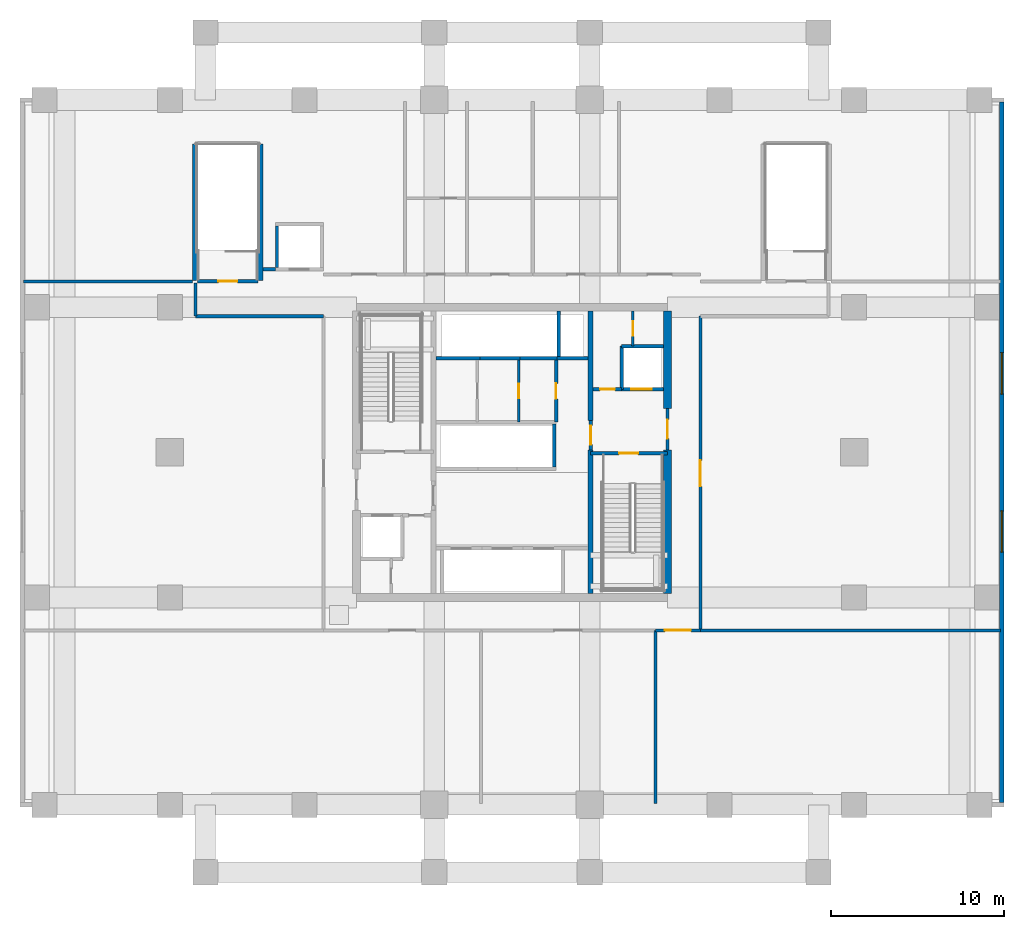
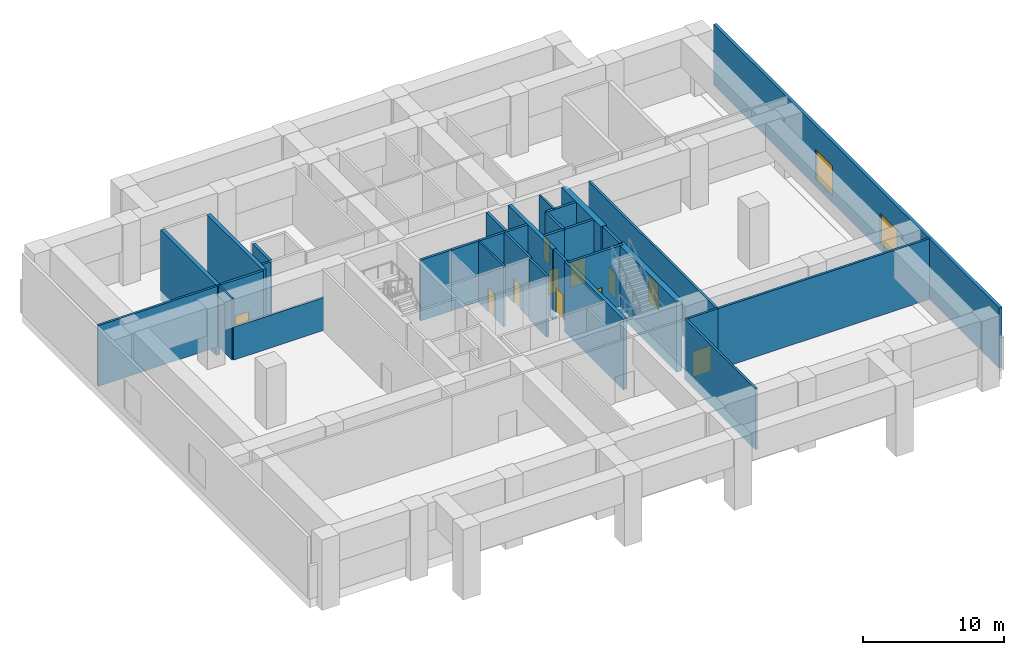
# One storey, part 3 of 9: 33 walls, 11 doors, 2 windows, 13 openings.
"""IFC4 building model written with IfcOpenShell, lengths in metres."""

from ifc_helpers import new_model, si_unit, direction, frame, frame_2d, origin, place, context, subcontext, project, spatial, rectangle, extrude, source, transform, mapped, material, layer, layer_set, type_object, element, fill, save


model = new_model("IFC4")

# Units and contexts
model_context = context("Model", 3, precision=1e-05, world=origin(), true_north=direction((0.0, 1.0)))
body_context = subcontext(model_context, "Body", "Model", "MODEL_VIEW")
ifc_project = project(units=[si_unit("LENGTHUNIT", "METRE"), si_unit("AREAUNIT", "SQUARE_METRE"), si_unit("VOLUMEUNIT", "CUBIC_METRE"), si_unit("PLANEANGLEUNIT", "RADIAN"), si_unit("MASSUNIT", "GRAM", prefix="KILO")], contexts=[model_context])

# Site, building, storey
site_placement = place(None, origin())
site = spatial("IfcSite", under=ifc_project, at=site_placement, CompositionType="ELEMENT")
building_placement = place(site_placement, origin())
building = spatial("IfcBuilding", under=site, at=building_placement, Name="Serunith Strait Residences", CompositionType="ELEMENT")
storey_placement = place(building_placement, frame((0.0, 0.0, 21.0)))
storey = spatial("IfcBuildingStorey", under=building, at=storey_placement, Name="L04", CompositionType="ELEMENT", Elevation=21.0)

# Wall, openings, windows
ifc_material_1 = material(Name="Pale-Silver Aluminium Terracotta-Backed Wall", Category="masonry")
ifc_layer_1 = layer(ifc_material_1, 0.25, Name="Pale-Silver Aluminium Terracotta-Backed Wall")
ifc_layer_set_1 = layer_set([ifc_layer_1], Name="Pale-Silver Aluminium Terracotta-Backed Wall")
wall_type_1 = type_object("IfcWallType", Name="EW-POD-250", PredefinedType="ELEMENTEDWALL", material=ifc_layer_set_1)
wall_1_placement = place(storey_placement, frame((60.75, 4.925048828125, 0.0), z_axis=(0.0, 0.0, 1.0), x_axis=(0.0, 1.0, 0.0)))
wall_1 = element("IfcWall", 1, at=wall_1_placement, inside=storey, type_object=wall_type_1, Name="L04 Podium Envelope Wall 2", PredefinedType="ELEMENTEDWALL", context=body_context, shape_type="SweptSolid", body=[
    extrude(rectangle(XDim=40.550048828125, YDim=0.25, at=frame_2d((20.27490234375, 0.0))), origin(), (0.0, 0.0, 1.0), 5.2451171875),
])
opening_1_placement = place(wall_1_placement, frame((14.4970703125, 0.0, 0.60009765625)))
opening_1 = element("IfcOpeningElement", 2, at=opening_1_placement, cuts=wall_1, Name="Opening W-08", PredefinedType="OPENING", context=body_context, shape_type="SweptSolid", body=[
    extrude(rectangle(XDim=2.39990234375, YDim=2.60009765625, at=frame_2d((1.199951171875, 1.300048828125))), frame((0.0, 0.135009765625, 0.0), z_axis=(0.0, -1.0, 0.0), x_axis=(1.0, 0.0, 0.0)), (0.0, 0.0, 1.0), 0.27001953125),
])
opening_2_placement = place(wall_1_placement, frame((23.653076171875, 0.0, 0.60009765625)))
opening_2 = element("IfcOpeningElement", 3, at=opening_2_placement, cuts=wall_1, Name="Opening W-08", PredefinedType="OPENING", context=body_context, shape_type="SweptSolid", body=[
    extrude(rectangle(XDim=2.39990234375, YDim=2.60009765625, at=frame_2d((1.199951171875, 1.300048828125))), frame((0.0, 0.135009765625, 0.0), z_axis=(0.0, -1.0, 0.0), x_axis=(1.0, 0.0, 0.0)), (0.0, 0.0, 1.0), 0.27001953125),
])
ifc_material_2 = material(Name="Podium Club Operable Window Glass", Category="glass")
window_type = type_object("IfcWindowType", Name="WIN-POD2", PartitioningType="DOUBLE_PANEL_VERTICAL", PredefinedType="WINDOW", material=ifc_material_2)
shared_shape_1 = source(origin(), body_context, "Body", "SweptSolid", [
    extrude(rectangle(XDim=2.39990234375, YDim=2.60009765625, at=frame_2d((1.199951171875, 1.300048828125))), frame((0.0, 0.030029296875, 0.0), z_axis=(0.0, -1.0, 0.0), x_axis=(1.0, 0.0, 0.0)), (0.0, 0.0, 1.0), 0.06005859375),
])
window_1_placement = place(opening_1_placement, origin())
window_1 = element("IfcWindow", 4, at=window_1_placement, inside=storey, type_object=window_type, Name="L04 Podium Window 2A", OverallHeight=2.60009765625, OverallWidth=2.39990234375, PartitioningType="SINGLE_PANEL", PredefinedType="WINDOW", context=body_context, shape_type="MappedRepresentation", body=[
    mapped(shared_shape_1, transform((0.0, 0.0, 0.0), scale=1.0)),
])
fill(opening_1, window_1)
window_2_placement = place(opening_2_placement, origin())
window_2 = element("IfcWindow", 5, at=window_2_placement, inside=storey, type_object=window_type, Name="L04 Podium Window 2B", OverallHeight=2.60009765625, OverallWidth=2.39990234375, PartitioningType="SINGLE_PANEL", PredefinedType="WINDOW", context=body_context, shape_type="MappedRepresentation", body=[
    mapped(shared_shape_1, transform((0.0, 0.0, 0.0), scale=1.0)),
])
fill(opening_2, window_2)

# Wall, opening, door
ifc_material_3 = material(Name="Fire-rated masonry service closet wall", Category="masonry")
ifc_layer_2 = layer(ifc_material_3, 0.14990234375, Name="Fire-rated masonry service closet wall")
ifc_layer_set_2 = layer_set([ifc_layer_2], Name="Fire-rated masonry service closet wall")
wall_type_2 = type_object("IfcWallType", Name="IW-BOH-150", PredefinedType="PARTITIONING", material=ifc_layer_set_2)
wall_2_placement = place(storey_placement, frame((39.39990234375, 31.35009765625, 0.0), z_axis=(0.0, 0.0, 1.0), x_axis=(0.0, 1.0, 0.0)))
wall_2 = element("IfcWall", 6, at=wall_2_placement, inside=storey, type_object=wall_type_2, Name="L04 Partition Wall 013", PredefinedType="PARTITIONING", context=body_context, shape_type="SweptSolid", body=[
    extrude(rectangle(XDim=2.02490234375, YDim=0.14990234375, at=frame_2d((1.012451171875, 0.0))), origin(), (0.0, 0.0, 1.0), 5.260009765625),
])
opening_3_placement = place(wall_2_placement, frame((0.5869140625, 0.0, 0.0)))
opening_3 = element("IfcOpeningElement", 7, at=opening_3_placement, cuts=wall_2, Name="Opening FD-850", PredefinedType="OPENING", context=body_context, shape_type="SweptSolid", body=[
    extrude(rectangle(XDim=0.85009765625, YDim=2.10009765625, at=frame_2d((0.425048828125, 1.050048828125))), frame((0.0, 0.0849609375, 0.0), z_axis=(0.0, -1.0, 0.0), x_axis=(1.0, 0.0, 0.0)), (0.0, 0.0, 1.0), 0.169921875),
])
ifc_material_4 = material(Name="Powder-coated steel service closet door", Category="steel")
door_type_1 = type_object("IfcDoorType", Name="FD-BOH-850", OperationType="NOTDEFINED", PredefinedType="DOOR", material=ifc_material_4)
shared_shape_2 = source(origin(), body_context, "Body", "SweptSolid", [
    extrude(rectangle(XDim=0.85009765625, YDim=2.10009765625, at=frame_2d((0.425048828125, 1.050048828125))), frame((0.0, 0.02490234375, 0.0), z_axis=(0.0, -1.0, 0.0), x_axis=(1.0, 0.0, 0.0)), (0.0, 0.0, 1.0), 0.050048828125),
])
door_1_placement = place(opening_3_placement, origin())
door_1 = element("IfcDoor", 8, at=door_1_placement, inside=storey, type_object=door_type_1, Name="L04 Janitor Store Door", OperationType="SINGLE_SWING_LEFT", OverallHeight=2.10009765625, OverallWidth=0.85009765625, PredefinedType="DOOR", context=body_context, shape_type="MappedRepresentation", body=[
    mapped(shared_shape_2, transform((0.0, 0.0, 0.0), scale=1.0)),
])
fill(opening_3, door_1)

wall_3_placement = place(storey_placement, frame((32.800048828125, 26.949951171875, 0.0), z_axis=(0.0, 0.0, 1.0), x_axis=(0.0, 1.0, 0.0)))
wall_3 = element("IfcWall", 9, at=wall_3_placement, inside=storey, type_object=wall_type_2, Name="L04 Partition Wall 015", PredefinedType="PARTITIONING", context=body_context, shape_type="SweptSolid", body=[
    extrude(rectangle(XDim=3.60009765625, YDim=0.14990234375, at=frame_2d((1.800048828125, 0.0))), origin(), (0.0, 0.0, 1.0), 5.260009765625),
])
opening_4_placement = place(wall_3_placement, frame((1.375, 0.0, 0.0)))
opening_4 = element("IfcOpeningElement", 10, at=opening_4_placement, cuts=wall_3, Name="Opening FD-850", PredefinedType="OPENING", context=body_context, shape_type="SweptSolid", body=[
    extrude(rectangle(XDim=0.85009765625, YDim=2.10009765625, at=frame_2d((0.425048828125, 1.050048828125))), frame((0.0, 0.0849609375, 0.0), z_axis=(0.0, -1.0, 0.0), x_axis=(1.0, 0.0, 0.0)), (0.0, 0.0, 1.0), 0.169921875),
])
door_2_placement = place(opening_4_placement, origin())
door_2 = element("IfcDoor", 11, at=door_2_placement, inside=storey, type_object=door_type_1, Name="L04 Linen Store Door", OperationType="SINGLE_SWING_LEFT", OverallHeight=2.10009765625, OverallWidth=0.85009765625, PredefinedType="DOOR", context=body_context, shape_type="MappedRepresentation", body=[
    mapped(shared_shape_2, transform((0.0, 0.0, 0.0), scale=1.0)),
])
fill(opening_4, door_2)

# Walls
ifc_material_5 = material(Name="Fire-rated acoustic gypsum partition")
ifc_layer_3 = layer(ifc_material_5, 0.179931640625, Name="Fire-rated acoustic gypsum partition")
ifc_layer_set_3 = layer_set([ifc_layer_3], Name="Fire-rated acoustic gypsum partition")
wall_type_3 = type_object("IfcWallType", Name="IW-CORR-180", PredefinedType="PARTITIONING", material=ifc_layer_set_3)
wall_4_placement = place(storey_placement, frame((43.300048828125, 14.89990234375, 0.0), z_axis=(0.0, 0.0, 1.0), x_axis=(1.0, 0.0, 0.0)))
element("IfcWall", 12, at=wall_4_placement, inside=storey, type_object=wall_type_3, Name="L04 Partition Wall 018", PredefinedType="PARTITIONING", context=body_context, shape_type="SweptSolid", body=[
    extrude(rectangle(XDim=17.367919921875, YDim=0.179931640625, at=frame_2d((8.68408203125, 0.0))), origin(), (0.0, 0.0, 1.0), 5.260009765625),
])
wall_5_placement = place(storey_placement, frame((4.132080078125, 35.080078125, 0.0), z_axis=(0.0, 0.0, 1.0), x_axis=(1.0, 0.0, 0.0)))
element("IfcWall", 13, at=wall_5_placement, inside=storey, type_object=wall_type_3, Name="L04 Partition Wall 019", PredefinedType="PARTITIONING", context=body_context, shape_type="SweptSolid", body=[
    extrude(rectangle(XDim=9.767822265625, YDim=0.179931640625, at=frame_2d((4.8837890625, 0.0))), origin(), (0.0, 0.0, 1.0), 5.260009765625),
])
wall_6_placement = place(storey_placement, frame((14.080078125, 33.080078125, 0.0), z_axis=(0.0, 0.0, 1.0), x_axis=(1.0, 0.0, 0.0)))
element("IfcWall", 14, at=wall_6_placement, inside=storey, type_object=wall_type_3, Name="L04 Partition Wall 020", PredefinedType="PARTITIONING", context=body_context, shape_type="SweptSolid", body=[
    extrude(rectangle(XDim=7.419921875, YDim=0.179931640625, at=frame_2d((3.7099609375, 0.0))), origin(), (0.0, 0.0, 1.0), 2.844970703125),
])
wall_7_placement = place(storey_placement, frame((18.0, 35.800048828125, 0.0), z_axis=(0.0, 0.0, 1.0), x_axis=(1.0, 0.0, 0.0)))
element("IfcWall", 15, at=wall_7_placement, inside=storey, type_object=wall_type_3, Name="L04 Partition Wall 021", PredefinedType="PARTITIONING", context=body_context, shape_type="SweptSolid", body=[
    extrude(rectangle(XDim=0.697998046875, YDim=0.179931640625, at=frame_2d((0.34912109375, 0.0))), origin(), (0.0, 0.0, 1.0), 5.260009765625),
])
wall_8_placement = place(storey_placement, frame((14.080078125, 33.080078125, 0.0), z_axis=(0.0, 0.0, 1.0), x_axis=(0.0, 1.0, 0.0)))
element("IfcWall", 16, at=wall_8_placement, inside=storey, type_object=wall_type_3, Name="L04 Partition Wall 025", PredefinedType="PARTITIONING", context=body_context, shape_type="SweptSolid", body=[
    extrude(rectangle(XDim=1.919921875, YDim=0.179931640625, at=frame_2d((0.9599609375, 0.0))), origin(), (0.0, 0.0, 1.0), 5.260009765625),
])

# Wall, opening, door
wall_9_placement = place(storey_placement, frame((43.300048828125, 14.89990234375, 0.0), z_axis=(0.0, 0.0, 1.0), x_axis=(0.0, 1.0, 0.0)))
wall_9 = element("IfcWall", 17, at=wall_9_placement, inside=storey, type_object=wall_type_3, Name="L04 Partition Wall 028", PredefinedType="PARTITIONING", context=body_context, shape_type="SweptSolid", body=[
    extrude(rectangle(XDim=18.18017578125, YDim=0.179931640625, at=frame_2d((9.090087890625, 0.0))), origin(), (0.0, 0.0, 1.0), 5.260009765625),
])
opening_5_placement = place(wall_9_placement, frame((8.340087890625, 0.0, 0.0)))
opening_5 = element("IfcOpeningElement", 18, at=opening_5_placement, cuts=wall_9, Name="Opening D-POD1500", PredefinedType="OPENING", context=body_context, shape_type="SweptSolid", body=[
    extrude(rectangle(XDim=1.5, YDim=2.25, at=frame_2d((0.75, 1.125))), frame((0.0, 0.10009765625, 0.0), z_axis=(0.0, -1.0, 0.0), x_axis=(1.0, 0.0, 0.0)), (0.0, 0.0, 1.0), 0.199951171875),
])
ifc_material_6 = material(Name="Pale-champagne aluminium glazed double door", Category="aluminium")
door_type_2 = type_object("IfcDoorType", Name="ID-POD-1500", OperationType="DOUBLE_DOOR_SINGLE_SWING", PredefinedType="DOOR", material=ifc_material_6)
shared_shape_3 = source(origin(), body_context, "Body", "SweptSolid", [
    extrude(rectangle(XDim=1.5, YDim=2.25, at=frame_2d((0.75, 1.125))), frame((0.0, 0.02490234375, 0.0), z_axis=(0.0, -1.0, 0.0), x_axis=(1.0, 0.0, 0.0)), (0.0, 0.0, 1.0), 0.050048828125),
])
door_3_placement = place(opening_5_placement, origin())
door_3 = element("IfcDoor", 19, at=door_3_placement, inside=storey, type_object=door_type_2, Name="L04 East Wing Suite Door", OperationType="DOUBLE_DOOR_SINGLE_SWING", OverallHeight=2.25, OverallWidth=1.5, PredefinedType="DOOR", context=body_context, shape_type="MappedRepresentation", body=[
    mapped(shared_shape_3, transform((0.0, 0.0, 0.0), scale=1.0)),
])
fill(opening_5, door_3)

wall_10_placement = place(storey_placement, frame((40.701904296875, 14.89990234375, 0.0), z_axis=(0.0, 0.0, 1.0), x_axis=(1.0, 0.0, 0.0)))
wall_10 = element("IfcWall", 20, at=wall_10_placement, inside=storey, type_object=wall_type_3, Name="L04 Partition Wall 035", PredefinedType="PARTITIONING", context=body_context, shape_type="SweptSolid", body=[
    extrude(rectangle(XDim=2.59619140625, YDim=0.179931640625, at=frame_2d((1.298095703125, 0.0))), origin(), (0.0, 0.0, 1.0), 5.260009765625),
])
opening_6_placement = place(wall_10_placement, frame((0.548095703125, 0.0, 0.0)))
opening_6 = element("IfcOpeningElement", 21, at=opening_6_placement, cuts=wall_10, Name="Opening D-POD1500", PredefinedType="OPENING", context=body_context, shape_type="SweptSolid", body=[
    extrude(rectangle(XDim=1.5, YDim=2.25, at=frame_2d((0.75, 1.125))), frame((0.0, 0.10009765625, 0.0), z_axis=(0.0, -1.0, 0.0), x_axis=(1.0, 0.0, 0.0)), (0.0, 0.0, 1.0), 0.199951171875),
])
door_4_placement = place(opening_6_placement, origin())
door_4 = element("IfcDoor", 22, at=door_4_placement, inside=storey, type_object=door_type_2, Name="L04 South-East Suite Door", OperationType="DOUBLE_DOOR_SINGLE_SWING", OverallHeight=2.25, OverallWidth=1.5, PredefinedType="DOOR", context=body_context, shape_type="MappedRepresentation", body=[
    mapped(shared_shape_3, transform((0.0, 0.0, 0.0), scale=1.0)),
])
fill(opening_6, door_4)

# Wall
wall_11_placement = place(storey_placement, frame((40.699951171875, 4.882080078125, 0.0), z_axis=(0.0, 0.0, 1.0), x_axis=(0.0, 1.0, 0.0)))
element("IfcWall", 23, at=wall_11_placement, inside=storey, type_object=wall_type_3, Name="L04 Partition Wall 042", PredefinedType="PARTITIONING", context=body_context, shape_type="SweptSolid", body=[
    extrude(rectangle(XDim=10.017822265625, YDim=0.179931640625, at=frame_2d((5.0087890625, 0.0))), origin(), (0.0, 0.0, 1.0), 5.260009765625),
])

# Wall, opening, door
ifc_material_7 = material(Name="Autoclaved aerated concrete blockwork", Category="masonry")
ifc_layer_4 = layer(ifc_material_7, 0.199951171875, Name="Autoclaved aerated concrete blockwork")
ifc_layer_set_4 = layer_set([ifc_layer_4], Name="Autoclaved aerated concrete blockwork")
wall_type_4 = type_object("IfcWallType", Name="IW-SHAFT-200", PredefinedType="STANDARD", material=ifc_layer_set_4)
wall_12_placement = place(storey_placement, frame((36.949951171875, 25.14990234375, 0.0), z_axis=(0.0, 0.0, 1.0), x_axis=(1.0, 0.0, 0.0)))
wall_12 = element("IfcWall", 24, at=wall_12_placement, inside=storey, type_object=wall_type_4, Name="L04 ST-2 North Shaft Wall", PredefinedType="STANDARD", context=body_context, shape_type="SweptSolid", body=[
    extrude(rectangle(XDim=4.449951171875, YDim=0.199951171875, at=frame_2d((2.22509765625, 0.0))), origin(), (0.0, 0.0, 1.0), 5.260009765625),
])
opening_7_placement = place(wall_12_placement, frame((1.64990234375, 0.0, 0.0)))
opening_7 = element("IfcOpeningElement", 25, at=opening_7_placement, cuts=wall_12, Name="Opening FD-1100", PredefinedType="OPENING", context=body_context, shape_type="SweptSolid", body=[
    extrude(rectangle(XDim=1.10009765625, YDim=2.14990234375, at=frame_2d((0.550048828125, 1.074951171875))), frame((0.0, 0.10986328125, 0.0), z_axis=(0.0, -1.0, 0.0), x_axis=(1.0, 0.0, 0.0)), (0.0, 0.0, 1.0), 0.219970703125),
])
ifc_material_8 = material(Name="Galvanised steel fire door leaf", Category="steel")
door_type_3 = type_object("IfcDoorType", Name="FD-STAIR-1100", OperationType="NOTDEFINED", PredefinedType="DOOR", material=ifc_material_8)
shared_shape_4 = source(origin(), body_context, "Body", "SweptSolid", [
    extrude(rectangle(XDim=1.10009765625, YDim=2.14990234375, at=frame_2d((0.550048828125, 1.074951171875))), frame((0.0, 0.02490234375, 0.0), z_axis=(0.0, -1.0, 0.0), x_axis=(1.0, 0.0, 0.0)), (0.0, 0.0, 1.0), 0.050048828125),
])
door_5_placement = place(opening_7_placement, origin())
door_5 = element("IfcDoor", 26, at=door_5_placement, inside=storey, type_object=door_type_3, Name="L04 ST-2 Escape Stair Door", OperationType="SINGLE_SWING_LEFT", OverallHeight=2.14990234375, OverallWidth=1.10009765625, PredefinedType="DOOR", context=body_context, shape_type="MappedRepresentation", body=[
    mapped(shared_shape_4, transform((0.0, 0.0, 0.0), scale=1.0)),
])
fill(opening_7, door_5)

wall_13_placement = place(storey_placement, frame((14.199951171875, 35.10009765625, 0.0), z_axis=(0.0, 0.0, 1.0), x_axis=(1.0, 0.0, 0.0)))
wall_13 = element("IfcWall", 27, at=wall_13_placement, inside=storey, type_object=wall_type_4, Name="L04 ST-3 South Shaft Wall", PredefinedType="STANDARD", context=body_context, shape_type="SweptSolid", body=[
    extrude(rectangle(XDim=3.5, YDim=0.199951171875, at=frame_2d((1.75, 0.0))), origin(), (0.0, 0.0, 1.0), 5.260009765625),
])
opening_8_placement = place(wall_13_placement, frame((1.199951171875, 0.0, 0.0)))
opening_8 = element("IfcOpeningElement", 28, at=opening_8_placement, cuts=wall_13, Name="Opening FD-1100", PredefinedType="OPENING", context=body_context, shape_type="SweptSolid", body=[
    extrude(rectangle(XDim=1.10009765625, YDim=2.14990234375, at=frame_2d((0.550048828125, 1.074951171875))), frame((0.0, 0.10986328125, 0.0), z_axis=(0.0, -1.0, 0.0), x_axis=(1.0, 0.0, 0.0)), (0.0, 0.0, 1.0), 0.219970703125),
])
door_6_placement = place(opening_8_placement, origin())
door_6 = element("IfcDoor", 29, at=door_6_placement, inside=storey, type_object=door_type_3, Name="L04 ST-3 Escape Stair Door", OperationType="SINGLE_SWING_RIGHT", OverallHeight=2.14990234375, OverallWidth=1.10009765625, PredefinedType="DOOR", context=body_context, shape_type="MappedRepresentation", body=[
    mapped(shared_shape_4, transform((0.0, 0.0, 0.0), scale=1.0)),
])
fill(opening_8, door_6)

wall_14_placement = place(storey_placement, frame((38.75, 28.85009765625, 0.0), z_axis=(0.0, 0.0, 1.0), x_axis=(1.0, 0.0, 0.0)))
wall_14 = element("IfcWall", 30, at=wall_14_placement, inside=storey, type_object=wall_type_4, Name="L04 FL-2 South Shaft Wall", PredefinedType="STANDARD", context=body_context, shape_type="SweptSolid", body=[
    extrude(rectangle(XDim=2.425048828125, YDim=0.199951171875, at=frame_2d((1.21240234375, 0.0))), origin(), (0.0, 0.0, 1.0), 5.260009765625),
])
opening_9_placement = place(wall_14_placement, frame((0.550048828125, 0.0, 0.0)))
opening_9 = element("IfcOpeningElement", 31, at=opening_9_placement, cuts=wall_14, Name="Opening LD-FF1200", PredefinedType="OPENING", context=body_context, shape_type="SweptSolid", body=[
    extrude(rectangle(XDim=1.199951171875, YDim=2.199951171875, at=frame_2d((0.60009765625, 1.10009765625))), frame((0.0, 0.10986328125, 0.0), z_axis=(0.0, -1.0, 0.0), x_axis=(1.0, 0.0, 0.0)), (0.0, 0.0, 1.0), 0.219970703125),
])
ifc_material_9 = material(Name="Brushed stainless steel landing door", Category="steel")
door_type_4 = type_object("IfcDoorType", Name="LD-FF-1200", OperationType="DOUBLE_DOOR_SLIDING", PredefinedType="DOOR", material=ifc_material_9)
shared_shape_5 = source(origin(), body_context, "Body", "SweptSolid", [
    extrude(rectangle(XDim=1.199951171875, YDim=2.199951171875, at=frame_2d((0.60009765625, 1.10009765625))), frame((0.0, 0.02490234375, 0.0), z_axis=(0.0, -1.0, 0.0), x_axis=(1.0, 0.0, 0.0)), (0.0, 0.0, 1.0), 0.050048828125),
])
door_7_placement = place(opening_9_placement, origin())
door_7 = element("IfcDoor", 32, at=door_7_placement, inside=storey, type_object=door_type_4, Name="L04 FL-2 Landing Door", OperationType="DOUBLE_DOOR_SLIDING", OverallHeight=2.199951171875, OverallWidth=1.199951171875, PredefinedType="DOOR", context=body_context, shape_type="MappedRepresentation", body=[
    mapped(shared_shape_5, transform((0.0, 0.0, 0.0), scale=1.0)),
])
fill(opening_9, door_7)

# Walls
wall_15_placement = place(storey_placement, frame((34.85009765625, 24.35009765625, 0.0), z_axis=(0.0, 0.0, 1.0), x_axis=(0.0, 1.0, 0.0)))
element("IfcWall", 33, at=wall_15_placement, inside=storey, type_object=wall_type_4, Name="L04 PL-6 East Shaft Wall", PredefinedType="STANDARD", context=body_context, shape_type="SweptSolid", body=[
    extrude(rectangle(XDim=2.5, YDim=0.199951171875, at=frame_2d((1.25, 0.0))), origin(), (0.0, 0.0, 1.0), 5.260009765625),
])
wall_16_placement = place(storey_placement, frame((28.0, 30.64990234375, 0.0), z_axis=(0.0, 0.0, 1.0), x_axis=(1.0, 0.0, 0.0)))
element("IfcWall", 34, at=wall_16_placement, inside=storey, type_object=wall_type_4, Name="L04 PL-7 South Shaft Wall", PredefinedType="STANDARD", context=body_context, shape_type="SweptSolid", body=[
    extrude(rectangle(XDim=2.550048828125, YDim=0.199951171875, at=frame_2d((1.27490234375, 0.0))), origin(), (0.0, 0.0, 1.0), 5.260009765625),
])
wall_17_placement = place(storey_placement, frame((30.550048828125, 30.64990234375, 0.0), z_axis=(0.0, 0.0, 1.0), x_axis=(1.0, 0.0, 0.0)))
element("IfcWall", 35, at=wall_17_placement, inside=storey, type_object=wall_type_4, Name="L04 PL-8 South Shaft Wall", PredefinedType="STANDARD", context=body_context, shape_type="SweptSolid", body=[
    extrude(rectangle(XDim=2.300048828125, YDim=0.199951171875, at=frame_2d((1.14990234375, 0.0))), origin(), (0.0, 0.0, 1.0), 5.260009765625),
])
wall_18_placement = place(storey_placement, frame((32.85009765625, 30.64990234375, 0.0), z_axis=(0.0, 0.0, 1.0), x_axis=(1.0, 0.0, 0.0)))
element("IfcWall", 36, at=wall_18_placement, inside=storey, type_object=wall_type_4, Name="L04 PL-9 South Shaft Wall", PredefinedType="STANDARD", context=body_context, shape_type="SweptSolid", body=[
    extrude(rectangle(XDim=2.14990234375, YDim=0.199951171875, at=frame_2d((1.074951171875, 0.0))), origin(), (0.0, 0.0, 1.0), 5.260009765625),
])
wall_19_placement = place(storey_placement, frame((35.0, 30.64990234375, 0.0), z_axis=(0.0, 0.0, 1.0), x_axis=(1.0, 0.0, 0.0)))
element("IfcWall", 37, at=wall_19_placement, inside=storey, type_object=wall_type_4, Name="L04 SL-1 South Shaft Wall", PredefinedType="STANDARD", context=body_context, shape_type="SweptSolid", body=[
    extrude(rectangle(XDim=1.800048828125, YDim=0.199951171875, at=frame_2d((0.89990234375, 0.0))), origin(), (0.0, 0.0, 1.0), 5.260009765625),
])
wall_20_placement = place(storey_placement, frame((35.10009765625, 30.75, 0.0), z_axis=(0.0, 0.0, 1.0), x_axis=(0.0, 1.0, 0.0)))
element("IfcWall", 38, at=wall_20_placement, inside=storey, type_object=wall_type_4, Name="L04 SL-1 West Shaft Wall", PredefinedType="STANDARD", context=body_context, shape_type="SweptSolid", body=[
    extrude(rectangle(XDim=2.625, YDim=0.199951171875, at=frame_2d((1.3125, 0.0))), origin(), (0.0, 0.0, 1.0), 5.260009765625),
])
wall_21_placement = place(storey_placement, frame((18.800048828125, 35.89990234375, 0.0), z_axis=(0.0, 0.0, 1.0), x_axis=(0.0, 1.0, 0.0)))
element("IfcWall", 39, at=wall_21_placement, inside=storey, type_object=wall_type_4, Name="L04 SV-1 West Shaft Wall", PredefinedType="STANDARD", context=body_context, shape_type="SweptSolid", body=[
    extrude(rectangle(XDim=2.400146484375, YDim=0.199951171875, at=frame_2d((1.2001953125, 0.0))), origin(), (0.0, 0.0, 1.0), 5.260009765625),
])
wall_22_placement = place(storey_placement, frame((38.75, 28.85009765625, 0.0), z_axis=(0.0, 0.0, 1.0), x_axis=(0.0, 1.0, 0.0)))
element("IfcWall", 40, at=wall_22_placement, inside=storey, type_object=wall_type_4, Name="L04 Partition Wall 004", PredefinedType="STANDARD", context=body_context, shape_type="SweptSolid", body=[
    extrude(rectangle(XDim=2.5, YDim=0.199951171875, at=frame_2d((1.25, 0.0))), origin(), (0.0, 0.0, 1.0), 5.260009765625),
])
wall_23_placement = place(storey_placement, frame((38.75, 31.35009765625, 0.0), z_axis=(0.0, 0.0, 1.0), x_axis=(1.0, 0.0, 0.0)))
element("IfcWall", 41, at=wall_23_placement, inside=storey, type_object=wall_type_4, Name="L04 Partition Wall 005", PredefinedType="STANDARD", context=body_context, shape_type="SweptSolid", body=[
    extrude(rectangle(XDim=2.425048828125, YDim=0.199951171875, at=frame_2d((1.21240234375, 0.0))), origin(), (0.0, 0.0, 1.0), 5.260009765625),
])

# Wall, opening, door
wall_24_placement = place(storey_placement, frame((37.10009765625, 28.85009765625, 0.0), z_axis=(0.0, 0.0, 1.0), x_axis=(1.0, 0.0, 0.0)))
wall_24 = element("IfcWall", 42, at=wall_24_placement, inside=storey, type_object=wall_type_4, Name="L04 Partition Wall 006", PredefinedType="STANDARD", context=body_context, shape_type="SweptSolid", body=[
    extrude(rectangle(XDim=1.64794921875, YDim=0.199951171875, at=frame_2d((0.823974609375, 0.0))), origin(), (0.0, 0.0, 1.0), 5.260009765625),
])
opening_10_placement = place(wall_24_placement, frame((0.39892578125, 0.0, 0.0)))
opening_10 = element("IfcOpeningElement", 43, at=opening_10_placement, cuts=wall_24, Name="Opening FD-850", PredefinedType="OPENING", context=body_context, shape_type="SweptSolid", body=[
    extrude(rectangle(XDim=0.85009765625, YDim=2.10009765625, at=frame_2d((0.425048828125, 1.050048828125))), frame((0.0, 0.10986328125, 0.0), z_axis=(0.0, -1.0, 0.0), x_axis=(1.0, 0.0, 0.0)), (0.0, 0.0, 1.0), 0.219970703125),
])
door_8_placement = place(opening_10_placement, origin())
door_8 = element("IfcDoor", 44, at=door_8_placement, inside=storey, type_object=door_type_1, Name="L04 North-East Core Service Door", OperationType="SINGLE_SWING_LEFT", OverallHeight=2.10009765625, OverallWidth=0.85009765625, PredefinedType="DOOR", context=body_context, shape_type="MappedRepresentation", body=[
    mapped(shared_shape_2, transform((0.0, 0.0, 0.0), scale=1.0)),
])
fill(opening_10, door_8)

wall_25_placement = place(storey_placement, frame((41.39990234375, 25.35205078125, 0.0), z_axis=(0.0, 0.0, 1.0), x_axis=(0.0, 1.0, 0.0)))
wall_25 = element("IfcWall", 45, at=wall_25_placement, inside=storey, type_object=wall_type_4, Name="L04 Partition Wall 008", PredefinedType="STANDARD", context=body_context, shape_type="SweptSolid", body=[
    extrude(rectangle(XDim=2.39599609375, YDim=0.199951171875, at=frame_2d((1.197998046875, 0.0))), origin(), (0.0, 0.0, 1.0), 5.260009765625),
])
opening_11_placement = place(wall_25_placement, frame((0.64794921875, 0.0, 0.0)))
opening_11 = element("IfcOpeningElement", 46, at=opening_11_placement, cuts=wall_25, Name="Opening FD-FFL", PredefinedType="OPENING", context=body_context, shape_type="SweptSolid", body=[
    extrude(rectangle(XDim=1.10009765625, YDim=2.14990234375, at=frame_2d((0.550048828125, 1.074951171875))), frame((0.0, 0.10986328125, 0.0), z_axis=(0.0, -1.0, 0.0), x_axis=(1.0, 0.0, 0.0)), (0.0, 0.0, 1.0), 0.219970703125),
])
ifc_material_10 = material(Name="Glazed steel smoke-lobby fire door", Category="steel")
door_type_5 = type_object("IfcDoorType", Name="FD-FFL-1100", OperationType="NOTDEFINED", PredefinedType="DOOR", material=ifc_material_10)
door_9_placement = place(opening_11_placement, origin())
door_9 = element("IfcDoor", 47, at=door_9_placement, inside=storey, type_object=door_type_5, Name="L04 FFL-2 Corridor Fire Door", OperationType="SINGLE_SWING_LEFT", OverallHeight=2.14990234375, OverallWidth=1.10009765625, PredefinedType="DOOR", context=body_context, shape_type="MappedRepresentation", body=[
    mapped(shared_shape_4, transform((0.0, 0.0, 0.0), scale=1.0)),
])
fill(opening_11, door_9)

wall_26_placement = place(storey_placement, frame((36.949951171875, 25.35205078125, 0.0), z_axis=(0.0, 0.0, 1.0), x_axis=(0.0, 1.0, 0.0)))
wall_26 = element("IfcWall", 48, at=wall_26_placement, inside=storey, type_object=wall_type_4, Name="L04 Partition Wall 010", PredefinedType="STANDARD", context=body_context, shape_type="SweptSolid", body=[
    extrude(rectangle(XDim=1.696044921875, YDim=0.199951171875, at=frame_2d((0.84814453125, 0.0))), origin(), (0.0, 0.0, 1.0), 5.260009765625),
])
opening_12_placement = place(wall_26_placement, frame((0.298095703125, 0.0, 0.0)))
opening_12 = element("IfcOpeningElement", 49, at=opening_12_placement, cuts=wall_26, Name="Opening FD-FFL", PredefinedType="OPENING", context=body_context, shape_type="SweptSolid", body=[
    extrude(rectangle(XDim=1.10009765625, YDim=2.14990234375, at=frame_2d((0.550048828125, 1.074951171875))), frame((0.0, 0.10986328125, 0.0), z_axis=(0.0, -1.0, 0.0), x_axis=(1.0, 0.0, 0.0)), (0.0, 0.0, 1.0), 0.219970703125),
])
door_10_placement = place(opening_12_placement, origin())
door_10 = element("IfcDoor", 50, at=door_10_placement, inside=storey, type_object=door_type_5, Name="L04 FFL-2 Lift Lobby Door", OperationType="SINGLE_SWING_LEFT", OverallHeight=2.14990234375, OverallWidth=1.10009765625, PredefinedType="DOOR", context=body_context, shape_type="MappedRepresentation", body=[
    mapped(shared_shape_4, transform((0.0, 0.0, 0.0), scale=1.0)),
])
fill(opening_12, door_10)

wall_27_placement = place(storey_placement, frame((34.949951171875, 26.949951171875, 0.0), z_axis=(0.0, 0.0, 1.0), x_axis=(0.0, 1.0, 0.0)))
wall_27 = element("IfcWall", 51, at=wall_27_placement, inside=storey, type_object=wall_type_4, Name="L04 Partition Wall 014", PredefinedType="STANDARD", context=body_context, shape_type="SweptSolid", body=[
    extrude(rectangle(XDim=3.60009765625, YDim=0.199951171875, at=frame_2d((1.800048828125, 0.0))), origin(), (0.0, 0.0, 1.0), 5.260009765625),
])
opening_13_placement = place(wall_27_placement, frame((1.35009765625, 0.0, 0.0)))
opening_13 = element("IfcOpeningElement", 52, at=opening_13_placement, cuts=wall_27, Name="Opening FD-900", PredefinedType="OPENING", context=body_context, shape_type="SweptSolid", body=[
    extrude(rectangle(XDim=0.89990234375, YDim=2.10009765625, at=frame_2d((0.449951171875, 1.050048828125))), frame((0.0, 0.10986328125, 0.0), z_axis=(0.0, -1.0, 0.0), x_axis=(1.0, 0.0, 0.0)), (0.0, 0.0, 1.0), 0.219970703125),
])
ifc_material_11 = material(Name="Powder-coated steel riser door", Category="steel")
door_type_6 = type_object("IfcDoorType", Name="FD-BOH-900", OperationType="NOTDEFINED", PredefinedType="DOOR", material=ifc_material_11)
shared_shape_6 = source(origin(), body_context, "Body", "SweptSolid", [
    extrude(rectangle(XDim=0.89990234375, YDim=2.10009765625, at=frame_2d((0.449951171875, 1.050048828125))), frame((0.0, 0.02490234375, 0.0), z_axis=(0.0, -1.0, 0.0), x_axis=(1.0, 0.0, 0.0)), (0.0, 0.0, 1.0), 0.050048828125),
])
door_11_placement = place(opening_13_placement, origin())
door_11 = element("IfcDoor", 53, at=door_11_placement, inside=storey, type_object=door_type_6, Name="L04 Janitorial Store Door", OperationType="SINGLE_SWING_RIGHT", OverallHeight=2.10009765625, OverallWidth=0.89990234375, PredefinedType="DOOR", context=body_context, shape_type="MappedRepresentation", body=[
    mapped(shared_shape_6, transform((0.0, 0.0, 0.0), scale=1.0)),
])
fill(opening_13, door_11)

# Walls
ifc_material_12 = material(Name="Concrete C60/75", Category="concrete")
ifc_layer_5 = layer(ifc_material_12, 0.300048828125, Name="Concrete C60/75")
ifc_layer_set_5 = layer_set([ifc_layer_5], Name="Concrete C60/75")
wall_type_5 = type_object("IfcWallType", Name="SW-300-C60", PredefinedType="SHEAR", material=ifc_layer_set_5)
for number, where, z_axis, x_axis, name in (
    (54, (14.050048828125, 35.14990234375, -0.85009765625), (0.0, 0.0, 1.0), (0.0, 1.0, 0.0), "L04 ST-3 West Structural Shaft Wall"),
    (55, (17.85009765625, 35.14990234375, -0.85009765625), (0.0, 0.0, 1.0), (0.0, 1.0, 0.0), "L04 ST-3 East Structural Shaft Wall"),
):
    element("IfcWall", number, at=place(storey_placement, frame(where, z_axis=z_axis, x_axis=x_axis)), inside=storey, type_object=wall_type_5, Name=name, PredefinedType="SHEAR", context=body_context, shape_type="SweptSolid", body=[
        extrude(rectangle(XDim=7.900146484375, YDim=0.300048828125, at=frame_2d((3.9501953125, 0.0))), origin(), (0.0, 0.0, 1.0), 6.108154296875),
    ])
ifc_material_13 = material(Name="Concrete C80/95", Category="concrete")
ifc_layer_6 = layer(ifc_material_13, 0.300048828125, Name="Concrete C80/95")
ifc_layer_set_6 = layer_set([ifc_layer_6], Name="Concrete C80/95")
wall_type_6 = type_object("IfcWallType", Name="SW-300-C80", PredefinedType="SHEAR", material=ifc_layer_set_6)
wall_28_placement = place(storey_placement, frame((36.949951171875, 17.02490234375, -0.85009765625), z_axis=(0.0, 0.0, 1.0), x_axis=(0.0, 1.0, 0.0)))
element("IfcWall", 56, at=wall_28_placement, inside=storey, type_object=wall_type_6, Name="L04 Core Internal East Web South Pier", PredefinedType="SHEAR", context=body_context, shape_type="SweptSolid", body=[
    extrude(rectangle(XDim=8.3251953125, YDim=0.300048828125, at=frame_2d((4.16259765625, 0.0))), origin(), (0.0, 0.0, 1.0), 6.108154296875),
])
wall_29_placement = place(storey_placement, frame((36.949951171875, 27.050048828125, -0.85009765625), z_axis=(0.0, 0.0, 1.0), x_axis=(0.0, 1.0, 0.0)))
element("IfcWall", 57, at=wall_29_placement, inside=storey, type_object=wall_type_6, Name="L04 Core Internal East Web North Pier", PredefinedType="SHEAR", context=body_context, shape_type="SweptSolid", body=[
    extrude(rectangle(XDim=6.324951171875, YDim=0.300048828125, at=frame_2d((3.16259765625, 0.0))), origin(), (0.0, 0.0, 1.0), 6.108154296875),
])
ifc_layer_7 = layer(ifc_material_13, 0.449951171875, Name="Concrete C80/95")
ifc_layer_set_7 = layer_set([ifc_layer_7], Name="Concrete C80/95")
wall_type_7 = type_object("IfcWallType", Name="SW-450-C80", PredefinedType="SHEAR", material=ifc_layer_set_7)
wall_30_placement = place(storey_placement, frame((41.39990234375, 17.02490234375, -0.85009765625), z_axis=(0.0, 0.0, 1.0), x_axis=(0.0, 1.0, 0.0)))
element("IfcWall", 58, at=wall_30_placement, inside=storey, type_object=wall_type_7, Name="L04 Core East Shear Wall South Pier", PredefinedType="SHEAR", context=body_context, shape_type="SweptSolid", body=[
    extrude(rectangle(XDim=8.3251953125, YDim=0.449951171875, at=frame_2d((4.16259765625, 0.0))), origin(), (0.0, 0.0, 1.0), 6.108154296875),
])
wall_31_placement = place(storey_placement, frame((41.39990234375, 27.75, -0.85009765625), z_axis=(0.0, 0.0, 1.0), x_axis=(0.0, 1.0, 0.0)))
element("IfcWall", 59, at=wall_31_placement, inside=storey, type_object=wall_type_7, Name="L04 Core East Shear Wall North Pier", PredefinedType="SHEAR", context=body_context, shape_type="SweptSolid", body=[
    extrude(rectangle(XDim=5.625, YDim=0.449951171875, at=frame_2d((2.8125, 0.0))), origin(), (0.0, 0.0, 1.0), 6.108154296875),
])

save(model, "model.ifc")
